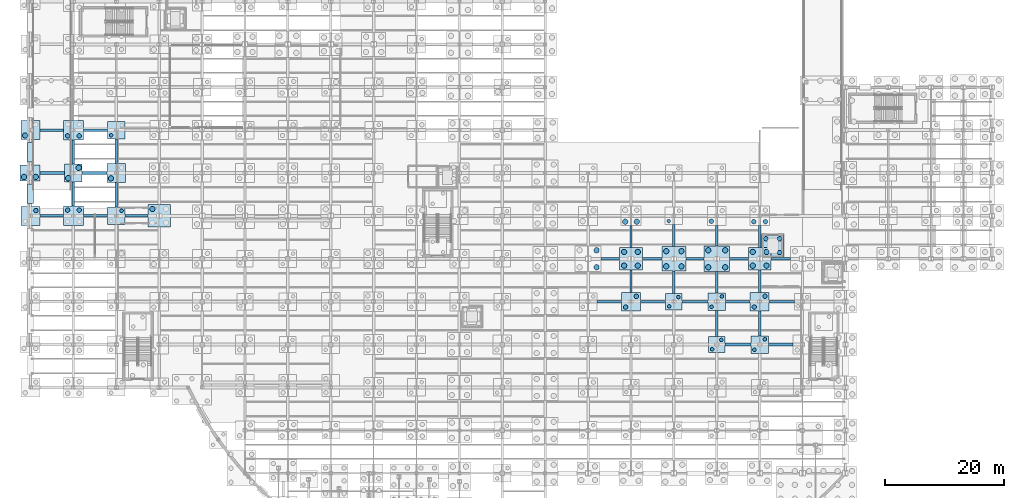
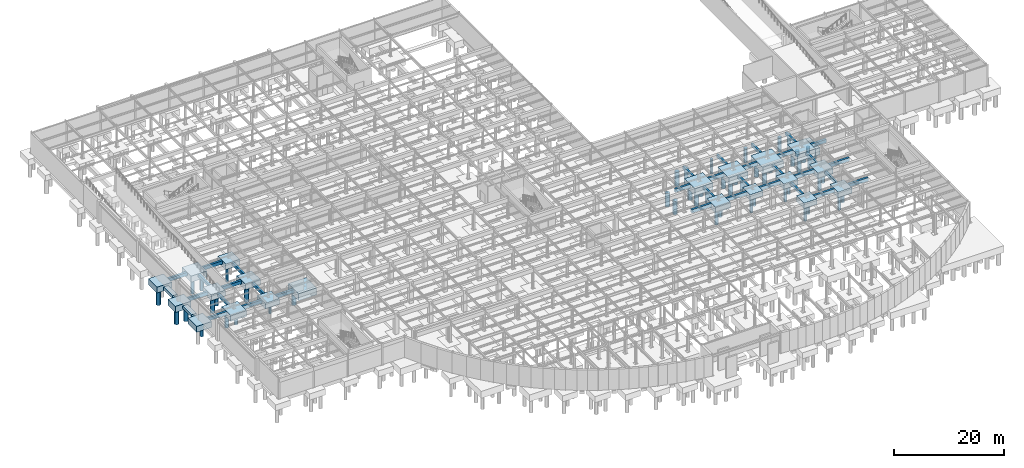
# One storey, part 7 of 64: 56 footings, 53 piles.
"""IFC4 building model written with IfcOpenShell, lengths in metres."""

from ifc_helpers import new_model, si_unit, direction, frame, origin, origin_2d, place, context, subcontext, project, spatial, rectangle, circle, extrude, material, material_profile, profile_set, type_object, element, save


model = new_model("IFC4")

# Units and contexts
model_context = context("Model", 3, precision=1e-05, world=origin(), true_north=direction((0.0, 1.0)))
body_context = subcontext(model_context, "Body", "Model", "MODEL_VIEW")
ifc_project = project(units=[si_unit("LENGTHUNIT", "METRE"), si_unit("AREAUNIT", "SQUARE_METRE"), si_unit("VOLUMEUNIT", "CUBIC_METRE"), si_unit("PLANEANGLEUNIT", "RADIAN"), si_unit("MASSUNIT", "GRAM", prefix="KILO")], contexts=[model_context])

# Site, building, storey
site_placement = place(None, origin())
site = spatial("IfcSite", under=ifc_project, at=site_placement, CompositionType="ELEMENT")
building_placement = place(site_placement, origin())
building = spatial("IfcBuilding", under=site, at=building_placement, Name="Solvadek Multi-Sports Hall", CompositionType="ELEMENT")
storey_placement = place(building_placement, frame((0.0, 0.0, -4.800048828125)))
storey = spatial("IfcBuildingStorey", under=building, at=storey_placement, Name="B1", CompositionType="ELEMENT", Elevation=-4.800048828125)

# Footings
ifc_material_1 = material(Name="Concrete M40", Category="concrete")
footing_type_1 = type_object("IfcFootingType", Name="STR-CAP-275X275X120", PredefinedType="PILE_CAP", material=ifc_material_1)
for number, where, z_axis, x_axis, name in (
    (1, (115.199951171875, 27.60009765625, -1.19970703125), (0.0, 0.0, 1.0), (1.0, 0.0, 0.0), "Pile Cap PC-02 #100"),
    (2, (108.0, 34.800048828125, -1.19970703125), (0.0, 0.0, 1.0), (1.0, 0.0, 0.0), "Pile Cap PC-02 #121"),
):
    element("IfcFooting", number, at=place(storey_placement, frame(where, z_axis=z_axis, x_axis=x_axis)), inside=storey, type_object=footing_type_1, Name=name, PredefinedType="PILE_CAP", context=body_context, shape_type="SweptSolid", body=[
        extrude(rectangle(XDim=2.75, YDim=2.75, at=origin_2d()), origin(), (0.0, 0.0, 1.0), 1.199951171875),
    ])
footing_type_2 = type_object("IfcFootingType", Name="STR-CAP-295X295X125", PredefinedType="PILE_CAP", material=ifc_material_1)
for number, where, z_axis, x_axis, name in (
    (3, (122.39990234375, 27.60009765625, -1.25), (0.0, 0.0, 1.0), (1.0, 0.0, 0.0), "Pile Cap PC-14 #101"),
    (4, (115.199951171875, 34.800048828125, -1.25), (0.0, 0.0, 1.0), (1.0, 0.0, 0.0), "Pile Cap PC-14 #122"),
    (5, (14.39990234375, 49.199951171875, -1.25), (0.0, 0.0, 1.0), (1.0, 0.0, 0.0), "Pile Cap PC-14 #160"),
    (6, (7.199951171875, 56.39990234375, -1.25), (0.0, 0.0, 1.0), (1.0, 0.0, 0.0), "Pile Cap PC-14 #178"),
    (7, (14.39990234375, 63.60009765625, -1.25), (0.0, 0.0, 1.0), (1.0, 0.0, 0.0), "Pile Cap PC-14 #202"),
):
    element("IfcFooting", number, at=place(storey_placement, frame(where, z_axis=z_axis, x_axis=x_axis)), inside=storey, type_object=footing_type_2, Name=name, PredefinedType="PILE_CAP", context=body_context, shape_type="SweptSolid", body=[
        extrude(rectangle(XDim=2.949951171875, YDim=2.949951171875, at=origin_2d()), origin(), (0.0, 0.0, 1.0), 1.25),
    ])
footing_type_3 = type_object("IfcFootingType", Name="STR-CAP-315X315X130", PredefinedType="PILE_CAP", material=ifc_material_1)
for number, where, z_axis, x_axis, name in (
    (8, (100.800048828125, 34.800048828125, -1.2998046875), (0.0, 0.0, 1.0), (1.0, 0.0, 0.0), "Pile Cap PC-15 #120"),
    (9, (122.39990234375, 34.800048828125, -1.2998046875), (0.0, 0.0, 1.0), (1.0, 0.0, 0.0), "Pile Cap PC-15 #123"),
    (10, (0.0, 49.199951171875, -1.2998046875), (0.0, 0.0, 1.0), (1.0, 0.0, 0.0), "Pile Cap PC-15 #158"),
    (11, (14.39990234375, 56.39990234375, -1.2998046875), (0.0, 0.0, 1.0), (1.0, 0.0, 0.0), "Pile Cap PC-15 #179"),
    (12, (0.0, 63.60009765625, -1.2998046875), (0.0, 0.0, 1.0), (1.0, 0.0, 0.0), "Pile Cap PC-15 #200"),
):
    element("IfcFooting", number, at=place(storey_placement, frame(where, z_axis=z_axis, x_axis=x_axis)), inside=storey, type_object=footing_type_3, Name=name, PredefinedType="PILE_CAP", context=body_context, shape_type="SweptSolid", body=[
        extrude(rectangle(XDim=3.14990234375, YDim=3.14990234375, at=origin_2d()), origin(), (0.0, 0.0, 1.0), 1.300048828125),
    ])
footing_type_4 = type_object("IfcFootingType", Name="STR-CAP-330X330X135", PredefinedType="PILE_CAP", material=ifc_material_1)
for number, where, z_axis, x_axis, name in (
    (13, (7.199951171875, 49.199951171875, -1.35009765625), (0.0, 0.0, 1.0), (1.0, 0.0, 0.0), "Pile Cap PC-04 #159"),
    (14, (7.199951171875, 63.60009765625, -1.35009765625), (0.0, 0.0, 1.0), (1.0, 0.0, 0.0), "Pile Cap PC-04 #201"),
):
    element("IfcFooting", number, at=place(storey_placement, frame(where, z_axis=z_axis, x_axis=x_axis)), inside=storey, type_object=footing_type_4, Name=name, PredefinedType="PILE_CAP", context=body_context, shape_type="SweptSolid", body=[
        extrude(rectangle(XDim=3.300048828125, YDim=3.300048828125, at=origin_2d()), origin(), (0.0, 0.0, 1.0), 1.35009765625),
    ])
footing_type_5 = type_object("IfcFootingType", Name="STR-CAP-380X380X150", PredefinedType="PILE_CAP", material=ifc_material_1)
for number, where, z_axis, x_axis, name in (
    (15, (100.800048828125, 42.0, -1.5), (0.0, 0.0, 1.0), (1.0, 0.0, 0.0), "Pile Cap PC-06 #127"),
    (16, (122.39990234375, 42.0, -1.5), (0.0, 0.0, 1.0), (1.0, 0.0, 0.0), "Pile Cap PC-06 #130"),
    (17, (21.60009765625, 49.199951171875, -1.5), (0.0, 0.0, 1.0), (1.0, 0.0, 0.0), "Pile Cap PC-06 #154"),
    (18, (124.60009765625, 44.199951171875, -3.349853515625), (0.0, 0.0, 1.0), (1.0, 0.0, 0.0), "Lift Pit Pile Cap #299"),
):
    element("IfcFooting", number, at=place(storey_placement, frame(where, z_axis=z_axis, x_axis=x_axis)), inside=storey, type_object=footing_type_5, Name=name, PredefinedType="PILE_CAP", context=body_context, shape_type="SweptSolid", body=[
        extrude(rectangle(XDim=3.800048828125, YDim=3.800048828125, at=origin_2d()), origin(), (0.0, 0.0, 1.0), 1.5),
    ])
footing_type_6 = type_object("IfcFootingType", Name="STR-CAP-405X405X150", PredefinedType="PILE_CAP", material=ifc_material_1)
footing_1_placement = place(storey_placement, frame((108.0, 42.0, -1.5), z_axis=(0.0, 0.0, 1.0), x_axis=(1.0, 0.0, 0.0)))
element("IfcFooting", 19, at=footing_1_placement, inside=storey, type_object=footing_type_6, Name="Pile Cap PC-17 #128", PredefinedType="PILE_CAP", context=body_context, shape_type="SweptSolid", body=[
    extrude(rectangle(XDim=4.050048828125, YDim=4.050048828125, at=origin_2d()), origin(), (0.0, 0.0, 1.0), 1.5),
])
footing_type_7 = type_object("IfcFootingType", Name="STR-CAP-435X435X150", PredefinedType="PILE_CAP", material=ifc_material_1)
footing_2_placement = place(storey_placement, frame((115.199951171875, 42.0, -1.5), z_axis=(0.0, 0.0, 1.0), x_axis=(1.0, 0.0, 0.0)))
element("IfcFooting", 20, at=footing_2_placement, inside=storey, type_object=footing_type_7, Name="Pile Cap PC-18 #129", PredefinedType="PILE_CAP", context=body_context, shape_type="SweptSolid", body=[
    extrude(rectangle(XDim=4.35009765625, YDim=4.35009765625, at=origin_2d()), origin(), (0.0, 0.0, 1.0), 1.5),
])
footing_type_8 = type_object("IfcFootingType", Name="STR-CAP-CMB-332X266", PredefinedType="PILE_CAP", material=ifc_material_1)
footing_3_placement = place(storey_placement, frame((-0.110107421875, 56.39990234375, -1.35009765625), z_axis=(0.0, 0.0, 1.0), x_axis=(1.0, 0.0, 0.0)))
element("IfcFooting", 21, at=footing_3_placement, inside=storey, type_object=footing_type_8, Name="Pile Cap PC-R86 #177", PredefinedType="PILE_CAP", context=body_context, shape_type="SweptSolid", body=[
    extrude(rectangle(XDim=3.320068359375, YDim=2.659912109375, at=origin_2d()), origin(), (0.0, 0.0, 1.0), 1.35009765625),
])
footing_type_9 = type_object("IfcFootingType", Name="STR-FTB-400X650", PredefinedType="FOOTING_BEAM", material=ifc_material_1)
for number, where, z_axis, x_axis, name in (
    (22, (7.199951171875, 52.887451171875, -0.64990234375), (0.0, 0.0, 1.0), (0.0, 1.0, 0.0), "Foundation Beam FB-01 #223"),
    (23, (7.199951171875, 59.91259765625, -0.64990234375), (0.0, 0.0, 1.0), (0.0, 1.0, 0.0), "Foundation Beam FB-01 #224"),
):
    element("IfcFooting", number, at=place(storey_placement, frame(where, z_axis=z_axis, x_axis=x_axis)), inside=storey, type_object=footing_type_9, Name=name, PredefinedType="FOOTING_BEAM", context=body_context, shape_type="SweptSolid", body=[
        extrude(rectangle(XDim=4.074951171875, YDim=0.39990234375, at=origin_2d()), origin(), (0.0, 0.0, 1.0), 0.64990234375),
    ])
for number, where, z_axis, x_axis, name in (
    (24, (14.39990234375, 52.75, -0.64990234375), (0.0, 0.0, 1.0), (0.0, 1.0, 0.0), "Foundation Beam FB-01 #233"),
    (25, (14.39990234375, 60.050048828125, -0.64990234375), (0.0, 0.0, 1.0), (0.0, 1.0, 0.0), "Foundation Beam FB-01 #234"),
):
    element("IfcFooting", number, at=place(storey_placement, frame(where, z_axis=z_axis, x_axis=x_axis)), inside=storey, type_object=footing_type_9, Name=name, PredefinedType="FOOTING_BEAM", context=body_context, shape_type="SweptSolid", body=[
        extrude(rectangle(XDim=4.14990234375, YDim=0.39990234375, at=origin_2d()), origin(), (0.0, 0.0, 1.0), 0.64990234375),
    ])
footing_4_placement = place(storey_placement, frame((100.800048828125, 38.237548828125, -0.64990234375), z_axis=(0.0, 0.0, 1.0), x_axis=(0.0, 1.0, 0.0)))
element("IfcFooting", 26, at=footing_4_placement, inside=storey, type_object=footing_type_9, Name="Foundation Beam FB-01 #383", PredefinedType="FOOTING_BEAM", context=body_context, shape_type="SweptSolid", body=[
    extrude(rectangle(XDim=3.72509765625, YDim=0.39990234375, at=origin_2d()), origin(), (0.0, 0.0, 1.0), 0.64990234375),
])
footing_5_placement = place(storey_placement, frame((100.800048828125, 45.72509765625, -0.64990234375), z_axis=(0.0, 0.0, 1.0), x_axis=(0.0, 1.0, 0.0)))
element("IfcFooting", 27, at=footing_5_placement, inside=storey, type_object=footing_type_9, Name="Foundation Beam FB-01 #384", PredefinedType="FOOTING_BEAM", context=body_context, shape_type="SweptSolid", body=[
    extrude(rectangle(XDim=3.64990234375, YDim=0.39990234375, at=origin_2d()), origin(), (0.0, 0.0, 1.0), 0.64990234375),
])
footing_6_placement = place(storey_placement, frame((108.0, 38.074951171875, -0.64990234375), z_axis=(0.0, 0.0, 1.0), x_axis=(0.0, 1.0, 0.0)))
element("IfcFooting", 28, at=footing_6_placement, inside=storey, type_object=footing_type_9, Name="Foundation Beam FB-01 #392", PredefinedType="FOOTING_BEAM", context=body_context, shape_type="SweptSolid", body=[
    extrude(rectangle(XDim=3.800048828125, YDim=0.39990234375, at=origin_2d()), origin(), (0.0, 0.0, 1.0), 0.64990234375),
])
footing_7_placement = place(storey_placement, frame((108.0, 45.875, -0.64990234375), z_axis=(0.0, 0.0, 1.0), x_axis=(0.0, 1.0, 0.0)))
element("IfcFooting", 29, at=footing_7_placement, inside=storey, type_object=footing_type_9, Name="Foundation Beam FB-01 #393", PredefinedType="FOOTING_BEAM", context=body_context, shape_type="SweptSolid", body=[
    extrude(rectangle(XDim=3.699951171875, YDim=0.39990234375, at=origin_2d()), origin(), (0.0, 0.0, 1.0), 0.64990234375),
])
footing_8_placement = place(storey_placement, frame((115.199951171875, 31.14990234375, -0.64990234375), z_axis=(0.0, 0.0, 1.0), x_axis=(0.0, 1.0, 0.0)))
element("IfcFooting", 30, at=footing_8_placement, inside=storey, type_object=footing_type_9, Name="Foundation Beam FB-01 #398", PredefinedType="FOOTING_BEAM", context=body_context, shape_type="SweptSolid", body=[
    extrude(rectangle(XDim=4.35009765625, YDim=0.39990234375, at=origin_2d()), origin(), (0.0, 0.0, 1.0), 0.64990234375),
])
footing_9_placement = place(storey_placement, frame((115.199951171875, 38.050048828125, -0.64990234375), z_axis=(0.0, 0.0, 1.0), x_axis=(0.0, 1.0, 0.0)))
element("IfcFooting", 31, at=footing_9_placement, inside=storey, type_object=footing_type_9, Name="Foundation Beam FB-01 #399", PredefinedType="FOOTING_BEAM", context=body_context, shape_type="SweptSolid", body=[
    extrude(rectangle(XDim=3.550048828125, YDim=0.39990234375, at=origin_2d()), origin(), (0.0, 0.0, 1.0), 0.64990234375),
])
footing_10_placement = place(storey_placement, frame((115.199951171875, 45.89990234375, -0.64990234375), z_axis=(0.0, 0.0, 1.0), x_axis=(0.0, 1.0, 0.0)))
element("IfcFooting", 32, at=footing_10_placement, inside=storey, type_object=footing_type_9, Name="Foundation Beam FB-01 #400", PredefinedType="FOOTING_BEAM", context=body_context, shape_type="SweptSolid", body=[
    extrude(rectangle(XDim=3.449951171875, YDim=0.39990234375, at=origin_2d()), origin(), (0.0, 0.0, 1.0), 0.64990234375),
])
footing_11_placement = place(storey_placement, frame((122.39990234375, 31.14990234375, -0.64990234375), z_axis=(0.0, 0.0, 1.0), x_axis=(0.0, 1.0, 0.0)))
element("IfcFooting", 33, at=footing_11_placement, inside=storey, type_object=footing_type_9, Name="Foundation Beam FB-01 #406", PredefinedType="FOOTING_BEAM", context=body_context, shape_type="SweptSolid", body=[
    extrude(rectangle(XDim=4.14990234375, YDim=0.39990234375, at=origin_2d()), origin(), (0.0, 0.0, 1.0), 0.64990234375),
])
footing_12_placement = place(storey_placement, frame((122.39990234375, 38.237548828125, -0.64990234375), z_axis=(0.0, 0.0, 1.0), x_axis=(0.0, 1.0, 0.0)))
element("IfcFooting", 34, at=footing_12_placement, inside=storey, type_object=footing_type_9, Name="Foundation Beam FB-01 #407", PredefinedType="FOOTING_BEAM", context=body_context, shape_type="SweptSolid", body=[
    extrude(rectangle(XDim=3.72509765625, YDim=0.39990234375, at=origin_2d()), origin(), (0.0, 0.0, 1.0), 0.64990234375),
])
footing_13_placement = place(storey_placement, frame((122.39990234375, 45.72509765625, -0.64990234375), z_axis=(0.0, 0.0, 1.0), x_axis=(0.0, 1.0, 0.0)))
element("IfcFooting", 35, at=footing_13_placement, inside=storey, type_object=footing_type_9, Name="Foundation Beam FB-01 #408", PredefinedType="FOOTING_BEAM", context=body_context, shape_type="SweptSolid", body=[
    extrude(rectangle(XDim=3.64990234375, YDim=0.39990234375, at=origin_2d()), origin(), (0.0, 0.0, 1.0), 0.64990234375),
])
footing_type_10 = type_object("IfcFootingType", Name="STR-FTB-450X750", PredefinedType="FOOTING_BEAM", material=ifc_material_1)
footing_14_placement = place(storey_placement, frame((118.75, 27.60009765625, -0.75), z_axis=(0.0, 0.0, 1.0), x_axis=(1.0, 0.0, 0.0)))
element("IfcFooting", 36, at=footing_14_placement, inside=storey, type_object=footing_type_10, Name="Foundation Beam FB-02 #55", PredefinedType="FOOTING_BEAM", context=body_context, shape_type="SweptSolid", body=[
    extrude(rectangle(XDim=4.35009765625, YDim=0.449951171875, at=origin_2d()), origin(), (0.0, 0.0, 1.0), 0.75),
])
for number, where, z_axis, x_axis, name in (
    (37, (125.949951171875, 27.60009765625, -0.75), (0.0, 0.0, 1.0), (1.0, 0.0, 0.0), "Foundation Beam FB-02 #56"),
    (38, (97.14990234375, 34.800048828125, -0.75), (0.0, 0.0, 1.0), (1.0, 0.0, 0.0), "Foundation Beam FB-02 #71"),
):
    element("IfcFooting", number, at=place(storey_placement, frame(where, z_axis=z_axis, x_axis=x_axis)), inside=storey, type_object=footing_type_10, Name=name, PredefinedType="FOOTING_BEAM", context=body_context, shape_type="SweptSolid", body=[
        extrude(rectangle(XDim=4.14990234375, YDim=0.449951171875, at=origin_2d()), origin(), (0.0, 0.0, 1.0), 0.75),
    ])
footing_15_placement = place(storey_placement, frame((104.5, 34.800048828125, -0.75), z_axis=(0.0, 0.0, 1.0), x_axis=(1.0, 0.0, 0.0)))
element("IfcFooting", 39, at=footing_15_placement, inside=storey, type_object=footing_type_10, Name="Foundation Beam FB-02 #72", PredefinedType="FOOTING_BEAM", context=body_context, shape_type="SweptSolid", body=[
    extrude(rectangle(XDim=4.25, YDim=0.449951171875, at=origin_2d()), origin(), (0.0, 0.0, 1.0), 0.75),
])
footing_16_placement = place(storey_placement, frame((111.550048828125, 34.800048828125, -0.75), z_axis=(0.0, 0.0, 1.0), x_axis=(1.0, 0.0, 0.0)))
element("IfcFooting", 40, at=footing_16_placement, inside=storey, type_object=footing_type_10, Name="Foundation Beam FB-02 #73", PredefinedType="FOOTING_BEAM", context=body_context, shape_type="SweptSolid", body=[
    extrude(rectangle(XDim=4.35009765625, YDim=0.449951171875, at=origin_2d()), origin(), (0.0, 0.0, 1.0), 0.75),
])
footing_17_placement = place(storey_placement, frame((118.75, 34.800048828125, -0.75), z_axis=(0.0, 0.0, 1.0), x_axis=(1.0, 0.0, 0.0)))
element("IfcFooting", 41, at=footing_17_placement, inside=storey, type_object=footing_type_10, Name="Foundation Beam FB-02 #74", PredefinedType="FOOTING_BEAM", context=body_context, shape_type="SweptSolid", body=[
    extrude(rectangle(XDim=4.14990234375, YDim=0.449951171875, at=origin_2d()), origin(), (0.0, 0.0, 1.0), 0.75),
])
footing_18_placement = place(storey_placement, frame((126.10009765625, 34.800048828125, -0.75), z_axis=(0.0, 0.0, 1.0), x_axis=(1.0, 0.0, 0.0)))
element("IfcFooting", 42, at=footing_18_placement, inside=storey, type_object=footing_type_10, Name="Foundation Beam FB-02 #75", PredefinedType="FOOTING_BEAM", context=body_context, shape_type="SweptSolid", body=[
    extrude(rectangle(XDim=4.25, YDim=0.449951171875, at=origin_2d()), origin(), (0.0, 0.0, 1.0), 0.75),
])
footing_19_placement = place(storey_placement, frame((97.33740234375, 42.0, -0.75), z_axis=(0.0, 0.0, 1.0), x_axis=(1.0, 0.0, 0.0)))
element("IfcFooting", 43, at=footing_19_placement, inside=storey, type_object=footing_type_10, Name="Foundation Beam FB-02 #90", PredefinedType="FOOTING_BEAM", context=body_context, shape_type="SweptSolid", body=[
    extrude(rectangle(XDim=3.125, YDim=0.449951171875, at=origin_2d()), origin(), (0.0, 0.0, 1.0), 0.75),
])
footing_20_placement = place(storey_placement, frame((104.33740234375, 42.0, -0.75), z_axis=(0.0, 0.0, 1.0), x_axis=(1.0, 0.0, 0.0)))
element("IfcFooting", 44, at=footing_20_placement, inside=storey, type_object=footing_type_10, Name="Foundation Beam FB-02 #91", PredefinedType="FOOTING_BEAM", context=body_context, shape_type="SweptSolid", body=[
    extrude(rectangle(XDim=3.27490234375, YDim=0.449951171875, at=origin_2d()), origin(), (0.0, 0.0, 1.0), 0.75),
])
footing_21_placement = place(storey_placement, frame((111.52490234375, 42.0, -0.75), z_axis=(0.0, 0.0, 1.0), x_axis=(1.0, 0.0, 0.0)))
element("IfcFooting", 45, at=footing_21_placement, inside=storey, type_object=footing_type_10, Name="Foundation Beam FB-02 #92", PredefinedType="FOOTING_BEAM", context=body_context, shape_type="SweptSolid", body=[
    extrude(rectangle(XDim=3.0, YDim=0.449951171875, at=origin_2d()), origin(), (0.0, 0.0, 1.0), 0.75),
])
footing_22_placement = place(storey_placement, frame((118.9375, 42.0, -0.75), z_axis=(0.0, 0.0, 1.0), x_axis=(1.0, 0.0, 0.0)))
element("IfcFooting", 46, at=footing_22_placement, inside=storey, type_object=footing_type_10, Name="Foundation Beam FB-02 #93", PredefinedType="FOOTING_BEAM", context=body_context, shape_type="SweptSolid", body=[
    extrude(rectangle(XDim=3.125, YDim=0.449951171875, at=origin_2d()), origin(), (0.0, 0.0, 1.0), 0.75),
])
footing_23_placement = place(storey_placement, frame((125.9375, 42.0, -0.75), z_axis=(0.0, 0.0, 1.0), x_axis=(1.0, 0.0, 0.0)))
element("IfcFooting", 47, at=footing_23_placement, inside=storey, type_object=footing_type_10, Name="Foundation Beam FB-02 #94", PredefinedType="FOOTING_BEAM", context=body_context, shape_type="SweptSolid", body=[
    extrude(rectangle(XDim=3.27490234375, YDim=0.449951171875, at=origin_2d()), origin(), (0.0, 0.0, 1.0), 0.75),
])
footing_24_placement = place(storey_placement, frame((3.5625, 49.199951171875, -0.75), z_axis=(0.0, 0.0, 1.0), x_axis=(1.0, 0.0, 0.0)))
element("IfcFooting", 48, at=footing_24_placement, inside=storey, type_object=footing_type_10, Name="Foundation Beam FB-02 #102", PredefinedType="FOOTING_BEAM", context=body_context, shape_type="SweptSolid", body=[
    extrude(rectangle(XDim=3.97509765625, YDim=0.449951171875, at=origin_2d()), origin(), (0.0, 0.0, 1.0), 0.75),
])
footing_25_placement = place(storey_placement, frame((10.887451171875, 49.199951171875, -0.75), z_axis=(0.0, 0.0, 1.0), x_axis=(1.0, 0.0, 0.0)))
element("IfcFooting", 49, at=footing_25_placement, inside=storey, type_object=footing_type_10, Name="Foundation Beam FB-02 #103", PredefinedType="FOOTING_BEAM", context=body_context, shape_type="SweptSolid", body=[
    extrude(rectangle(XDim=4.074951171875, YDim=0.449951171875, at=origin_2d()), origin(), (0.0, 0.0, 1.0), 0.75),
])
footing_26_placement = place(storey_placement, frame((17.78759765625, 49.199951171875, -0.75), z_axis=(0.0, 0.0, 1.0), x_axis=(1.0, 0.0, 0.0)))
element("IfcFooting", 50, at=footing_26_placement, inside=storey, type_object=footing_type_10, Name="Foundation Beam FB-02 #104", PredefinedType="FOOTING_BEAM", context=body_context, shape_type="SweptSolid", body=[
    extrude(rectangle(XDim=3.824951171875, YDim=0.449951171875, at=origin_2d()), origin(), (0.0, 0.0, 1.0), 0.75),
])
footing_27_placement = place(storey_placement, frame((3.637451171875, 56.39990234375, -0.75), z_axis=(0.0, 0.0, 1.0), x_axis=(1.0, 0.0, 0.0)))
element("IfcFooting", 51, at=footing_27_placement, inside=storey, type_object=footing_type_10, Name="Foundation Beam FB-02 #119", PredefinedType="FOOTING_BEAM", context=body_context, shape_type="SweptSolid", body=[
    extrude(rectangle(XDim=4.175048828125, YDim=0.449951171875, at=origin_2d()), origin(), (0.0, 0.0, 1.0), 0.75),
])
footing_28_placement = place(storey_placement, frame((10.75, 56.39990234375, -0.75), z_axis=(0.0, 0.0, 1.0), x_axis=(1.0, 0.0, 0.0)))
element("IfcFooting", 52, at=footing_28_placement, inside=storey, type_object=footing_type_10, Name="Foundation Beam FB-02 #120", PredefinedType="FOOTING_BEAM", context=body_context, shape_type="SweptSolid", body=[
    extrude(rectangle(XDim=4.14990234375, YDim=0.449951171875, at=origin_2d()), origin(), (0.0, 0.0, 1.0), 0.75),
])
footing_29_placement = place(storey_placement, frame((3.5625, 63.60009765625, -0.75), z_axis=(0.0, 0.0, 1.0), x_axis=(1.0, 0.0, 0.0)))
element("IfcFooting", 53, at=footing_29_placement, inside=storey, type_object=footing_type_10, Name="Foundation Beam FB-02 #140", PredefinedType="FOOTING_BEAM", context=body_context, shape_type="SweptSolid", body=[
    extrude(rectangle(XDim=3.97509765625, YDim=0.449951171875, at=origin_2d()), origin(), (0.0, 0.0, 1.0), 0.75),
])
footing_30_placement = place(storey_placement, frame((10.887451171875, 63.60009765625, -0.75), z_axis=(0.0, 0.0, 1.0), x_axis=(1.0, 0.0, 0.0)))
element("IfcFooting", 54, at=footing_30_placement, inside=storey, type_object=footing_type_10, Name="Foundation Beam FB-02 #141", PredefinedType="FOOTING_BEAM", context=body_context, shape_type="SweptSolid", body=[
    extrude(rectangle(XDim=4.074951171875, YDim=0.449951171875, at=origin_2d()), origin(), (0.0, 0.0, 1.0), 0.75),
])

# Piles
ifc_material_2 = material(Name="Concrete M35", Category="concrete")
ifc_material_profile_1 = material_profile(ifc_material_2, circle(Radius=0.300048828125, at=origin_2d()), Name="BORED PILE D600")
ifc_profile_set_1 = profile_set([ifc_material_profile_1], Name="Concrete M35")
pile_type_1 = type_object("IfcPileType", Name="STR-PILE-D600", PredefinedType="BORED", material=ifc_profile_set_1)
for number, where, z_axis, x_axis, name in (
    (55, (114.425048828125, 26.824951171875, -1.099853515625), (0.0, 0.0, -1.0), (1.0, 0.0, 0.0), "Bored Pile PL-600 #350"),
    (56, (115.97509765625, 28.375, -1.099853515625), (0.0, 0.0, -1.0), (1.0, 0.0, 0.0), "Bored Pile PL-600 #351"),
):
    element("IfcPile", number, at=place(storey_placement, frame(where, z_axis=z_axis, x_axis=x_axis)), inside=storey, type_object=pile_type_1, Name=name, PredefinedType="BORED", context=body_context, shape_type="SweptSolid", body=[
        extrude(circle(Radius=0.300048828125, at=origin_2d()), origin(), (0.0, 0.0, 1.0), 3.300048828125),
    ])
for number, where, z_axis, x_axis, name in (
    (57, (121.52490234375, 26.72509765625, -1.14990234375), (0.0, 0.0, -1.0), (1.0, 0.0, 0.0), "Bored Pile PL-600 #352"),
    (58, (123.27490234375, 28.47509765625, -1.14990234375), (0.0, 0.0, -1.0), (1.0, 0.0, 0.0), "Bored Pile PL-600 #353"),
):
    element("IfcPile", number, at=place(storey_placement, frame(where, z_axis=z_axis, x_axis=x_axis)), inside=storey, type_object=pile_type_1, Name=name, PredefinedType="BORED", context=body_context, shape_type="SweptSolid", body=[
        extrude(circle(Radius=0.300048828125, at=origin_2d()), origin(), (0.0, 0.0, 1.0), 3.25),
    ])
for number, where, z_axis, x_axis, name in (
    (59, (107.22509765625, 34.02490234375, -1.099853515625), (0.0, 0.0, -1.0), (1.0, 0.0, 0.0), "Bored Pile PL-600 #400"),
    (60, (108.77490234375, 35.574951171875, -1.099853515625), (0.0, 0.0, -1.0), (1.0, 0.0, 0.0), "Bored Pile PL-600 #401"),
):
    element("IfcPile", number, at=place(storey_placement, frame(where, z_axis=z_axis, x_axis=x_axis)), inside=storey, type_object=pile_type_1, Name=name, PredefinedType="BORED", context=body_context, shape_type="SweptSolid", body=[
        extrude(circle(Radius=0.300048828125, at=origin_2d()), origin(), (0.0, 0.0, 1.0), 3.300048828125),
    ])
for number, where, z_axis, x_axis, name in (
    (61, (114.324951171875, 33.925048828125, -1.14990234375), (0.0, 0.0, -1.0), (1.0, 0.0, 0.0), "Bored Pile PL-600 #402"),
    (62, (116.074951171875, 35.675048828125, -1.14990234375), (0.0, 0.0, -1.0), (1.0, 0.0, 0.0), "Bored Pile PL-600 #403"),
    (63, (15.27490234375, 50.074951171875, -1.14990234375), (0.0, 0.0, -1.0), (1.0, 0.0, 0.0), "Bored Pile PL-600 #517"),
    (64, (107.125, 48.324951171875, -1.14990234375), (0.0, 0.0, -1.0), (1.0, 0.0, 0.0), "Bored Pile PL-600 #532"),
    (65, (13.52490234375, 62.72509765625, -1.14990234375), (0.0, 0.0, -1.0), (1.0, 0.0, 0.0), "Bored Pile PL-600 #630"),
):
    element("IfcPile", number, at=place(storey_placement, frame(where, z_axis=z_axis, x_axis=x_axis)), inside=storey, type_object=pile_type_1, Name=name, PredefinedType="BORED", context=body_context, shape_type="SweptSolid", body=[
        extrude(circle(Radius=0.300048828125, at=origin_2d()), origin(), (0.0, 0.0, 1.0), 3.25),
    ])
ifc_material_profile_2 = material_profile(ifc_material_2, circle(Radius=0.375, at=origin_2d()), Name="BORED PILE D750")
ifc_profile_set_2 = profile_set([ifc_material_profile_2], Name="Concrete M35")
pile_type_2 = type_object("IfcPileType", Name="STR-PILE-D750", PredefinedType="BORED", material=ifc_profile_set_2)
for number, where, z_axis, x_axis, name in (
    (66, (99.89990234375, 33.89990234375, -1.199951171875), (0.0, 0.0, -1.0), (1.0, 0.0, 0.0), "Bored Pile PL-750 #398"),
    (67, (101.699951171875, 35.699951171875, -1.199951171875), (0.0, 0.0, -1.0), (1.0, 0.0, 0.0), "Bored Pile PL-750 #399"),
    (68, (121.5, 33.89990234375, -1.199951171875), (0.0, 0.0, -1.0), (1.0, 0.0, 0.0), "Bored Pile PL-750 #404"),
    (69, (123.300048828125, 35.699951171875, -1.199951171875), (0.0, 0.0, -1.0), (1.0, 0.0, 0.0), "Bored Pile PL-750 #405"),
    (70, (0.89990234375, 50.10009765625, -1.199951171875), (0.0, 0.0, -1.0), (1.0, 0.0, 0.0), "Bored Pile PL-750 #511"),
):
    element("IfcPile", number, at=place(storey_placement, frame(where, z_axis=z_axis, x_axis=x_axis)), inside=storey, type_object=pile_type_2, Name=name, PredefinedType="BORED", context=body_context, shape_type="SweptSolid", body=[
        extrude(circle(Radius=0.375, at=origin_2d()), origin(), (0.0, 0.0, 1.0), 3.199951171875),
    ])
for number, where, z_axis, x_axis, name in (
    (71, (6.22509765625, 50.175048828125, -1.25), (0.0, 0.0, -1.0), (1.0, 0.0, 0.0), "Bored Pile PL-750 #513"),
    (72, (8.175048828125, 50.175048828125, -1.25), (0.0, 0.0, -1.0), (1.0, 0.0, 0.0), "Bored Pile PL-750 #515"),
):
    element("IfcPile", number, at=place(storey_placement, frame(where, z_axis=z_axis, x_axis=x_axis)), inside=storey, type_object=pile_type_2, Name=name, PredefinedType="BORED", context=body_context, shape_type="SweptSolid", body=[
        extrude(circle(Radius=0.375, at=origin_2d()), origin(), (0.0, 0.0, 1.0), 3.14990234375),
    ])
pile_placement = place(storey_placement, frame((114.300048828125, 48.300048828125, -1.199951171875), z_axis=(0.0, 0.0, -1.0), x_axis=(1.0, 0.0, 0.0)))
element("IfcPile", 73, at=pile_placement, inside=storey, type_object=pile_type_2, Name="Bored Pile PL-750 #534", PredefinedType="BORED", context=body_context, shape_type="SweptSolid", body=[
    extrude(circle(Radius=0.375, at=origin_2d()), origin(), (0.0, 0.0, 1.0), 3.199951171875),
])
for number, where, z_axis, x_axis, name in (
    (74, (121.425048828125, 48.22509765625, -1.25), (0.0, 0.0, -1.0), (1.0, 0.0, 0.0), "Bored Pile PL-750 #536"),
    (75, (123.375, 48.22509765625, -1.25), (0.0, 0.0, -1.0), (1.0, 0.0, 0.0), "Bored Pile PL-750 #538"),
    (76, (6.22509765625, 62.625, -1.25), (0.0, 0.0, -1.0), (1.0, 0.0, 0.0), "Bored Pile PL-750 #626"),
    (77, (8.175048828125, 62.625, -1.25), (0.0, 0.0, -1.0), (1.0, 0.0, 0.0), "Bored Pile PL-750 #628"),
):
    element("IfcPile", number, at=place(storey_placement, frame(where, z_axis=z_axis, x_axis=x_axis)), inside=storey, type_object=pile_type_2, Name=name, PredefinedType="BORED", context=body_context, shape_type="SweptSolid", body=[
        extrude(circle(Radius=0.375, at=origin_2d()), origin(), (0.0, 0.0, 1.0), 3.14990234375),
    ])
for number, where, z_axis, x_axis, name in (
    (78, (125.75, 43.050048828125, -3.25), (0.0, 0.0, -1.0), (1.0, 0.0, 0.0), "Lift Pit Bored Pile PL-750 #930"),
    (79, (123.449951171875, 45.35009765625, -3.25), (0.0, 0.0, -1.0), (1.0, 0.0, 0.0), "Lift Pit Bored Pile PL-750 #931"),
    (80, (125.75, 45.35009765625, -3.25), (0.0, 0.0, -1.0), (1.0, 0.0, 0.0), "Lift Pit Bored Pile PL-750 #932"),
):
    element("IfcPile", number, at=place(storey_placement, frame(where, z_axis=z_axis, x_axis=x_axis)), inside=storey, type_object=pile_type_2, Name=name, PredefinedType="BORED", context=body_context, shape_type="SweptSolid", body=[
        extrude(circle(Radius=0.375, at=origin_2d()), origin(), (0.0, 0.0, 1.0), 1.14990234375),
    ])
ifc_material_profile_3 = material_profile(ifc_material_2, circle(Radius=0.449951171875, at=origin_2d()), Name="BORED PILE D900")
ifc_profile_set_3 = profile_set([ifc_material_profile_3], Name="Concrete M35")
pile_type_3 = type_object("IfcPileType", Name="STR-PILE-D900", PredefinedType="BORED", material=ifc_profile_set_3)
for number, where, z_axis, x_axis, name in (
    (81, (95.02490234375, 40.574951171875, -1.39990234375), (0.0, 0.0, -1.0), (1.0, 0.0, 0.0), "Bored Pile PL-900 #414"),
    (82, (95.02490234375, 43.425048828125, -1.39990234375), (0.0, 0.0, -1.0), (1.0, 0.0, 0.0), "Bored Pile PL-900 #415"),
    (83, (99.64990234375, 40.85009765625, -1.39990234375), (0.0, 0.0, -1.0), (1.0, 0.0, 0.0), "Bored Pile PL-900 #416"),
    (84, (99.64990234375, 43.14990234375, -1.39990234375), (0.0, 0.0, -1.0), (1.0, 0.0, 0.0), "Bored Pile PL-900 #417"),
    (85, (101.949951171875, 40.85009765625, -1.39990234375), (0.0, 0.0, -1.0), (1.0, 0.0, 0.0), "Bored Pile PL-900 #418"),
    (86, (101.949951171875, 43.14990234375, -1.39990234375), (0.0, 0.0, -1.0), (1.0, 0.0, 0.0), "Bored Pile PL-900 #419"),
    (87, (106.72509765625, 40.72509765625, -1.39990234375), (0.0, 0.0, -1.0), (1.0, 0.0, 0.0), "Bored Pile PL-900 #420"),
    (88, (106.72509765625, 43.27490234375, -1.39990234375), (0.0, 0.0, -1.0), (1.0, 0.0, 0.0), "Bored Pile PL-900 #421"),
    (89, (109.27490234375, 40.72509765625, -1.39990234375), (0.0, 0.0, -1.0), (1.0, 0.0, 0.0), "Bored Pile PL-900 #422"),
    (90, (109.27490234375, 43.27490234375, -1.39990234375), (0.0, 0.0, -1.0), (1.0, 0.0, 0.0), "Bored Pile PL-900 #423"),
    (91, (113.77490234375, 40.574951171875, -1.39990234375), (0.0, 0.0, -1.0), (1.0, 0.0, 0.0), "Bored Pile PL-900 #424"),
    (92, (113.77490234375, 43.425048828125, -1.39990234375), (0.0, 0.0, -1.0), (1.0, 0.0, 0.0), "Bored Pile PL-900 #425"),
    (93, (116.625, 40.574951171875, -1.39990234375), (0.0, 0.0, -1.0), (1.0, 0.0, 0.0), "Bored Pile PL-900 #426"),
    (94, (116.625, 43.425048828125, -1.39990234375), (0.0, 0.0, -1.0), (1.0, 0.0, 0.0), "Bored Pile PL-900 #427"),
    (95, (121.25, 40.85009765625, -1.39990234375), (0.0, 0.0, -1.0), (1.0, 0.0, 0.0), "Bored Pile PL-900 #428"),
    (96, (121.25, 43.14990234375, -1.39990234375), (0.0, 0.0, -1.0), (1.0, 0.0, 0.0), "Bored Pile PL-900 #429"),
    (97, (123.550048828125, 40.85009765625, -1.39990234375), (0.0, 0.0, -1.0), (1.0, 0.0, 0.0), "Bored Pile PL-900 #430"),
    (98, (123.550048828125, 43.14990234375, -1.39990234375), (0.0, 0.0, -1.0), (1.0, 0.0, 0.0), "Bored Pile PL-900 #431"),
    (99, (20.449951171875, 50.35009765625, -1.39990234375), (0.0, 0.0, -1.0), (1.0, 0.0, 0.0), "Bored Pile PL-900 #495"),
):
    element("IfcPile", number, at=place(storey_placement, frame(where, z_axis=z_axis, x_axis=x_axis)), inside=storey, type_object=pile_type_3, Name=name, PredefinedType="BORED", context=body_context, shape_type="SweptSolid", body=[
        extrude(circle(Radius=0.449951171875, at=origin_2d()), origin(), (0.0, 0.0, 1.0), 3.0),
    ])
for number, where, z_axis, x_axis, name in (
    (100, (99.824951171875, 48.22509765625, -1.25), (0.0, 0.0, -1.0), (1.0, 0.0, 0.0), "Bored Pile PL-900 #528"),
    (101, (101.77490234375, 48.22509765625, -1.25), (0.0, 0.0, -1.0), (1.0, 0.0, 0.0), "Bored Pile PL-900 #530"),
    (102, (-1.094970703125, 55.7451171875, -1.25), (0.0, 0.0, -1.0), (1.0, 0.0, 0.0), "Bored Pile PL-900 #564"),
    (103, (0.875, 55.7451171875, -1.25), (0.0, 0.0, -1.0), (1.0, 0.0, 0.0), "Bored Pile PL-900 #565"),
):
    element("IfcPile", number, at=place(storey_placement, frame(where, z_axis=z_axis, x_axis=x_axis)), inside=storey, type_object=pile_type_3, Name=name, PredefinedType="BORED", context=body_context, shape_type="SweptSolid", body=[
        extrude(circle(Radius=0.449951171875, at=origin_2d()), origin(), (0.0, 0.0, 1.0), 3.14990234375),
    ])
for number, where, z_axis, x_axis, name in (
    (104, (6.324951171875, 55.52490234375, -1.14990234375), (0.0, 0.0, -1.0), (1.0, 0.0, 0.0), "Bored Pile PL-900 #566"),
    (105, (8.074951171875, 57.27490234375, -1.14990234375), (0.0, 0.0, -1.0), (1.0, 0.0, 0.0), "Bored Pile PL-900 #567"),
):
    element("IfcPile", number, at=place(storey_placement, frame(where, z_axis=z_axis, x_axis=x_axis)), inside=storey, type_object=pile_type_3, Name=name, PredefinedType="BORED", context=body_context, shape_type="SweptSolid", body=[
        extrude(circle(Radius=0.449951171875, at=origin_2d()), origin(), (0.0, 0.0, 1.0), 3.25),
    ])
for number, where, z_axis, x_axis, name in (
    (106, (13.5, 55.5, -1.199951171875), (0.0, 0.0, -1.0), (1.0, 0.0, 0.0), "Bored Pile PL-900 #568"),
    (107, (-0.89990234375, 62.699951171875, -1.199951171875), (0.0, 0.0, -1.0), (1.0, 0.0, 0.0), "Bored Pile PL-900 #624"),
):
    element("IfcPile", number, at=place(storey_placement, frame(where, z_axis=z_axis, x_axis=x_axis)), inside=storey, type_object=pile_type_3, Name=name, PredefinedType="BORED", context=body_context, shape_type="SweptSolid", body=[
        extrude(circle(Radius=0.449951171875, at=origin_2d()), origin(), (0.0, 0.0, 1.0), 3.199951171875),
    ])

# Footings
footing_type_11 = type_object("IfcFootingType", Name="STR-SFT-1000X600", PredefinedType="STRIP_FOOTING", material=ifc_material_1)
for number, where, z_axis, x_axis, name in (
    (108, (0.0, 59.87744140625, -0.60009765625), (0.0, 0.0, 1.0), (0.0, -1.0, 0.0), "Perimeter Retaining Wall Strip Footing #457"),
    (109, (0.0, 52.922607421875, -0.60009765625), (0.0, 0.0, 1.0), (0.0, -1.0, 0.0), "Perimeter Retaining Wall Strip Footing #458"),
):
    element("IfcFooting", number, at=place(storey_placement, frame(where, z_axis=z_axis, x_axis=x_axis)), inside=storey, type_object=footing_type_11, Name=name, PredefinedType="STRIP_FOOTING", context=body_context, shape_type="SweptSolid", body=[
        extrude(rectangle(XDim=3.2548828125, YDim=1.0, at=origin_2d()), origin(), (0.0, 0.0, 1.0), 0.60009765625),
    ])

save(model, "model.ifc")
